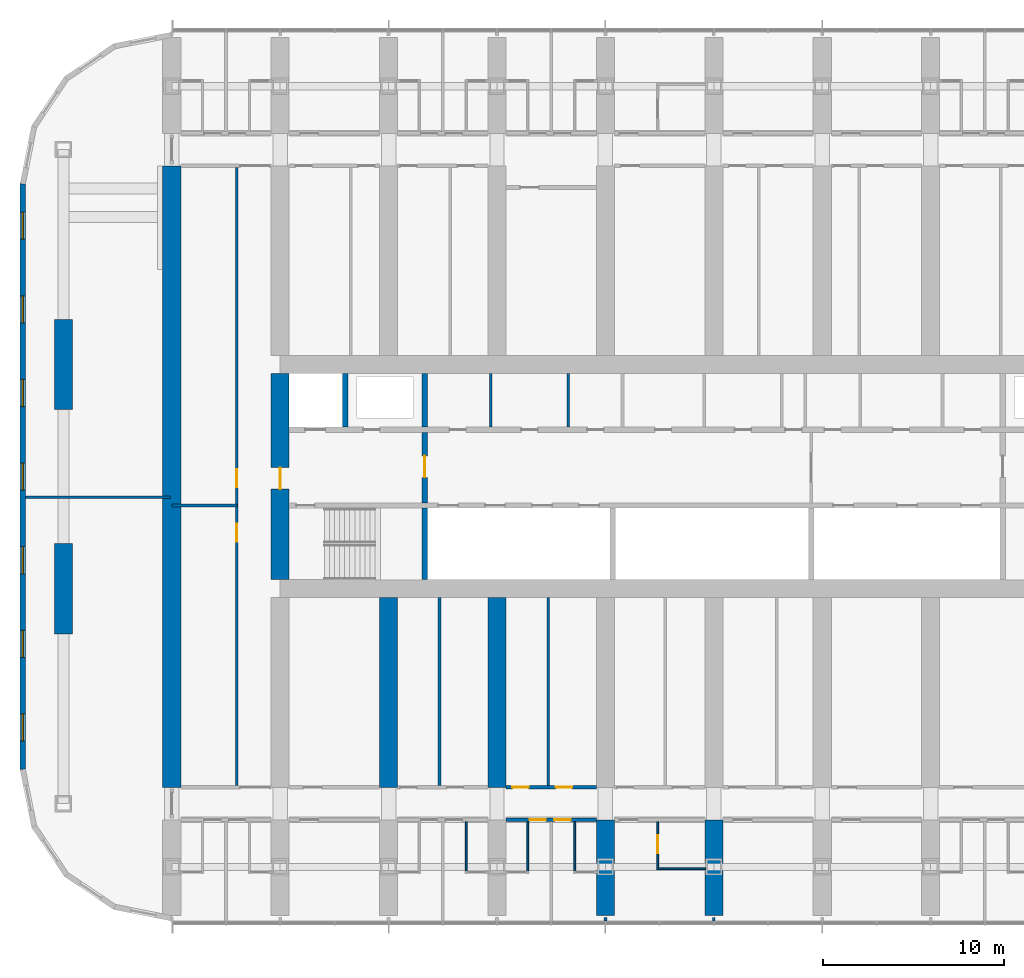
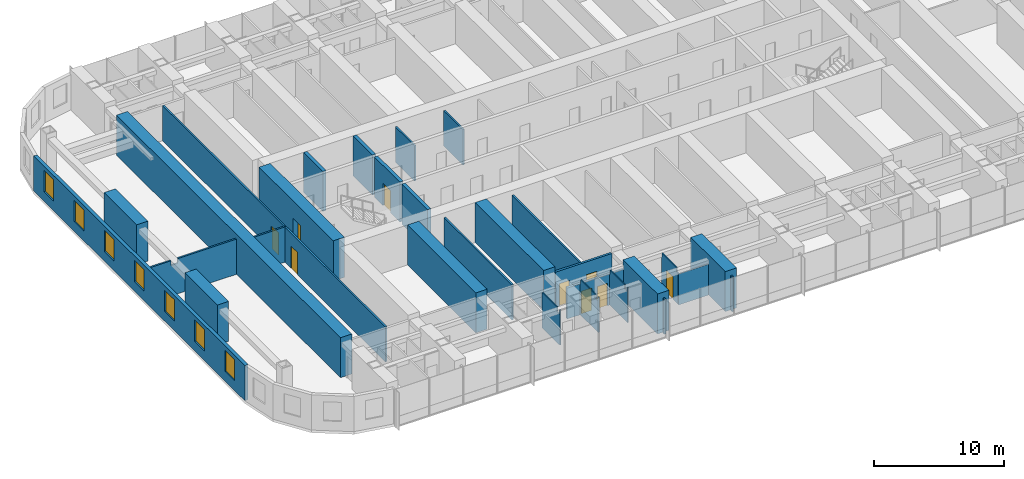
# One storey, part 11 of 23: 29 walls, 9 doors, 7 windows, 16 openings.
"""IFC4 building model written with IfcOpenShell, lengths in metres."""

from ifc_helpers import new_model, si_unit, direction, frame, frame_2d, origin, place, context, subcontext, project, spatial, polyline, rectangle, outline, extrude, material, layer, layer_set, type_object, element, fill, save


model = new_model("IFC4")

# Units and contexts
model_context = context("Model", 3, precision=1e-05, world=origin(), true_north=direction((0.0, 1.0)))
body_context = subcontext(model_context, "Body", "Model", "MODEL_VIEW")
ifc_project = project(units=[si_unit("LENGTHUNIT", "METRE"), si_unit("AREAUNIT", "SQUARE_METRE"), si_unit("VOLUMEUNIT", "CUBIC_METRE"), si_unit("PLANEANGLEUNIT", "RADIAN"), si_unit("MASSUNIT", "GRAM", prefix="KILO")], contexts=[model_context])

# Site, building, storey
site_placement = place(None, origin())
site = spatial("IfcSite", under=ifc_project, at=site_placement, CompositionType="ELEMENT")
building_placement = place(site_placement, origin())
building = spatial("IfcBuilding", under=site, at=building_placement, Name="Orbita Commons", CompositionType="ELEMENT")
storey_placement = place(building_placement, frame((0.0, 0.0, 50.199951171875)))
storey = spatial("IfcBuildingStorey", under=building, at=storey_placement, Name="L12", CompositionType="ELEMENT", Elevation=50.199951171875)

# Wall
ifc_material_1 = material(Name="Concrete C50/60", Category="concrete")
ifc_layer_1 = layer(ifc_material_1, 0.300048828125)
ifc_layer_set_1 = layer_set([ifc_layer_1], Name="Concrete C50/60")
wall_type_1 = type_object("IfcWallType", Name="Core inner wall 300 C50/60", PredefinedType="SHEAR", material=ifc_layer_set_1)
wall_1_placement = place(storey_placement, frame((26.0, 26.300048828125, 0.0), z_axis=(0.0, 0.0, 1.0), x_axis=(0.0, 1.0, 0.0)))
element("IfcWall", 1, at=wall_1_placement, inside=storey, type_object=wall_type_1, Name="Stair S1 wall L12", PredefinedType="SHEAR", context=body_context, shape_type="SweptSolid", body=[
    extrude(rectangle(XDim=3.949951171875, YDim=0.300048828125, at=frame_2d((1.97509765625, 0.0))), origin(), (0.0, 0.0, 1.0), 3.75),
])

# Wall, opening, door
wall_2_placement = place(storey_placement, frame((26.0, 30.550048828125, 0.0), z_axis=(0.0, 0.0, 1.0), x_axis=(0.0, 1.0, 0.0)))
wall_2 = element("IfcWall", 2, at=wall_2_placement, inside=storey, type_object=wall_type_1, Name="Firefighting lobby wall west L12", PredefinedType="SHEAR", context=body_context, shape_type="SweptSolid", body=[
    extrude(rectangle(XDim=3.89990234375, YDim=0.300048828125, at=frame_2d((1.949951171875, 0.0))), origin(), (0.0, 0.0, 1.0), 3.75),
])
opening_1_placement = place(wall_2_placement, frame((1.39990234375, 0.0, 0.0)))
opening_1 = element("IfcOpeningElement", 3, at=opening_1_placement, cuts=wall_2, Name="Opening D04", PredefinedType="OPENING", context=body_context, shape_type="SweptSolid", body=[
    extrude(rectangle(XDim=1.199951171875, YDim=2.10009765625, at=frame_2d((0.60009765625, 1.050048828125))), frame((0.0, 0.159912109375, 0.0), z_axis=(0.0, -1.0, 0.0), x_axis=(1.0, 0.0, 0.0)), (0.0, 0.0, 1.0), 0.320068359375),
])
ifc_material_2 = material(Name="Steel-faced fire door leaf", Category="steel")
door_type_1 = type_object("IfcDoorType", Name="Service door 20 min 1200x2100", OperationType="SINGLE_SWING_LEFT", PredefinedType="DOOR", material=ifc_material_2)
door_1_placement = place(opening_1_placement, origin())
door_1 = element("IfcDoor", 4, at=door_1_placement, inside=storey, type_object=door_type_1, Name="Lift lobby door west", OperationType="SINGLE_SWING_LEFT", OverallHeight=2.10009765625, OverallWidth=1.199951171875, PredefinedType="DOOR", context=body_context, shape_type="SweptSolid", body=[
    extrude(rectangle(XDim=1.199951171875, YDim=2.10009765625, at=frame_2d((0.60009765625, 1.050048828125))), frame((0.0, 0.02490234375, 0.0), z_axis=(0.0, -1.0, 0.0), x_axis=(1.0, 0.0, 0.0)), (0.0, 0.0, 1.0), 0.050048828125),
])
fill(opening_1, door_1)

# Walls
for number, where, z_axis, x_axis, name in (
    (5, (21.60009765625, 34.75, 0.0), (0.0, 0.0, 1.0), (0.0, 1.0, 0.0), "Firefighting lift FL1 shaft wall L12"),
    (6, (26.0, 34.75, 0.0), (0.0, 0.0, 1.0), (0.0, 1.0, 0.0), "Riser wall west L12"),
):
    element("IfcWall", number, at=place(storey_placement, frame(where, z_axis=z_axis, x_axis=x_axis)), inside=storey, type_object=wall_type_1, Name=name, PredefinedType="SHEAR", context=body_context, shape_type="SweptSolid", body=[
        extrude(rectangle(XDim=2.949951171875, YDim=0.300048828125, at=frame_2d((1.47509765625, 0.0))), origin(), (0.0, 0.0, 1.0), 3.75),
    ])
ifc_material_3 = material(Name="Concrete blockwork", Category="masonry")
ifc_layer_2 = layer(ifc_material_3, 0.14990234375)
ifc_layer_set_2 = layer_set([ifc_layer_2], Name="Concrete blockwork")
wall_type_2 = type_object("IfcWallType", Name="Core partition 150 blockwork", PredefinedType="SOLIDWALL", material=ifc_layer_set_2)
for number, where, z_axis, x_axis, name in (
    (7, (29.65087890625, 34.75, 0.0), (0.0, 0.0, 1.0), (0.0, 1.0, 0.0), "Core partition 150 blockwork L12"),
    (8, (33.9462890625, 34.75, 0.0), (0.0, 0.0, 1.0), (0.0, 1.0, 0.0), "Core partition 150 blockwork L12"),
):
    element("IfcWall", number, at=place(storey_placement, frame(where, z_axis=z_axis, x_axis=x_axis)), inside=storey, type_object=wall_type_2, Name=name, PredefinedType="SOLIDWALL", context=body_context, shape_type="SweptSolid", body=[
        extrude(rectangle(XDim=2.949951171875, YDim=0.14990234375, at=frame_2d((1.47509765625, 0.0))), origin(), (0.0, 0.0, 1.0), 3.300048828125),
    ])

# Wall, opening, door
ifc_material_4 = material(Name="Concrete C50/60", Category="concrete")
ifc_layer_3 = layer(ifc_material_4, 1.0)
ifc_layer_set_3 = layer_set([ifc_layer_3], Name="Concrete C50/60")
wall_type_3 = type_object("IfcWallType", Name="Core wall 1000 C50/60", PredefinedType="SHEAR", material=ifc_layer_set_3)
wall_3_placement = place(storey_placement, frame((18.0, 26.300048828125, 0.0), z_axis=(0.0, 0.0, 1.0), x_axis=(0.0, 1.0, 0.0)))
wall_3 = element("IfcWall", 9, at=wall_3_placement, inside=storey, type_object=wall_type_3, Name="Core end wall west L12", PredefinedType="SHEAR", context=body_context, shape_type="SweptSolid", body=[
    extrude(rectangle(XDim=11.39990234375, YDim=1.0, at=frame_2d((5.699951171875, 0.0))), origin(), (0.0, 0.0, 1.0), 3.75),
])
opening_2_placement = place(wall_3_placement, frame((5.0, 0.0, 0.0)))
opening_2 = element("IfcOpeningElement", 10, at=opening_2_placement, cuts=wall_3, Name="Opening D01", PredefinedType="OPENING", context=body_context, shape_type="SweptSolid", body=[
    extrude(rectangle(XDim=1.199951171875, YDim=2.10009765625, at=frame_2d((0.60009765625, 1.050048828125))), frame((0.0, 0.510009765625, 0.0), z_axis=(0.0, -1.0, 0.0), x_axis=(1.0, 0.0, 0.0)), (0.0, 0.0, 1.0), 1.02001953125),
])
ifc_material_5 = material(Name="Steel-faced fire door leaf", Category="steel")
door_type_2 = type_object("IfcDoorType", Name="Fire door 90 min 1200x2100", OperationType="SINGLE_SWING_LEFT", PredefinedType="DOOR", material=ifc_material_5)
door_2_placement = place(opening_2_placement, origin())
door_2 = element("IfcDoor", 11, at=door_2_placement, inside=storey, type_object=door_type_2, Name="Firefighting lobby west door", OperationType="SINGLE_SWING_LEFT", OverallHeight=2.10009765625, OverallWidth=1.199951171875, PredefinedType="DOOR", context=body_context, shape_type="SweptSolid", body=[
    extrude(rectangle(XDim=1.199951171875, YDim=2.10009765625, at=frame_2d((0.60009765625, 1.050048828125))), frame((0.0, 0.02490234375, 0.0), z_axis=(0.0, -1.0, 0.0), x_axis=(1.0, 0.0, 0.0)), (0.0, 0.0, 1.0), 0.050048828125),
])
fill(opening_2, door_2)

# Wall, openings, doors
ifc_material_6 = material(Name="Concrete blockwork", Category="masonry")
ifc_layer_4 = layer(ifc_material_6, 0.199951171875)
ifc_layer_set_4 = layer_set([ifc_layer_4], Name="Concrete blockwork")
wall_type_4 = type_object("IfcWallType", Name="Corridor wall 200 blockwork", PredefinedType="SOLIDWALL", material=ifc_layer_set_4)
wall_4_placement = place(storey_placement, frame((30.5, 13.0, 0.0), z_axis=(0.0, 0.0, 1.0), x_axis=(1.0, 0.0, 0.0)))
wall_4 = element("IfcWall", 12, at=wall_4_placement, inside=storey, type_object=wall_type_4, Name="Corridor wall 200 blockwork L12", PredefinedType="SOLIDWALL", context=body_context, shape_type="SweptSolid", body=[
    extrude(outline(polyline([(0.0, 0.0), (5.0, 0.0), (5.0, 2.900146484375), (0.0, 2.900146484375), (0.0, 0.0)])), frame((0.0, 0.10009765625, 0.0), z_axis=(0.0, -1.0, 0.0), x_axis=(1.0, 0.0, 0.0)), (0.0, 0.0, 1.0), 0.199951171875),
])
opening_3_placement = place(wall_4_placement, frame((1.300048828125, 0.0, 0.0)))
opening_3 = element("IfcOpeningElement", 13, at=opening_3_placement, cuts=wall_4, Name="Opening D11", PredefinedType="OPENING", context=body_context, shape_type="SweptSolid", body=[
    extrude(rectangle(XDim=0.89990234375, YDim=2.10009765625, at=frame_2d((0.449951171875, 1.050048828125))), frame((0.0, 0.10986328125, 0.0), z_axis=(0.0, -1.0, 0.0), x_axis=(1.0, 0.0, 0.0)), (0.0, 0.0, 1.0), 0.219970703125),
])
opening_4_placement = place(wall_4_placement, frame((2.675048828125, 0.0, 0.0)))
opening_4 = element("IfcOpeningElement", 14, at=opening_4_placement, cuts=wall_4, Name="Opening D11", PredefinedType="OPENING", context=body_context, shape_type="SweptSolid", body=[
    extrude(rectangle(XDim=0.89990234375, YDim=2.10009765625, at=frame_2d((0.449951171875, 1.050048828125))), frame((0.0, 0.10986328125, 0.0), z_axis=(0.0, -1.0, 0.0), x_axis=(1.0, 0.0, 0.0)), (0.0, 0.0, 1.0), 0.219970703125),
])
ifc_material_7 = material(Name="Steel-faced fire door leaf", Category="steel")
door_type_3 = type_object("IfcDoorType", Name="Corridor door 20 min 900x2100", OperationType="SINGLE_SWING_LEFT", PredefinedType="DOOR", material=ifc_material_7)
door_3_placement = place(opening_3_placement, origin())
door_3 = element("IfcDoor", 15, at=door_3_placement, inside=storey, type_object=door_type_3, Name="House bedroom L12-S06 door", OperationType="SINGLE_SWING_LEFT", OverallHeight=2.10009765625, OverallWidth=0.89990234375, PredefinedType="DOOR", context=body_context, shape_type="SweptSolid", body=[
    extrude(rectangle(XDim=0.89990234375, YDim=2.10009765625, at=frame_2d((0.449951171875, 1.050048828125))), frame((0.0, 0.02490234375, 0.0), z_axis=(0.0, -1.0, 0.0), x_axis=(1.0, 0.0, 0.0)), (0.0, 0.0, 1.0), 0.050048828125),
])
fill(opening_3, door_3)
door_4_placement = place(opening_4_placement, origin())
door_4 = element("IfcDoor", 16, at=door_4_placement, inside=storey, type_object=door_type_3, Name="House bedroom L12-S07 door", OperationType="SINGLE_SWING_LEFT", OverallHeight=2.10009765625, OverallWidth=0.89990234375, PredefinedType="DOOR", context=body_context, shape_type="SweptSolid", body=[
    extrude(rectangle(XDim=0.89990234375, YDim=2.10009765625, at=frame_2d((0.449951171875, 1.050048828125))), frame((0.0, 0.02490234375, 0.0), z_axis=(0.0, -1.0, 0.0), x_axis=(1.0, 0.0, 0.0)), (0.0, 0.0, 1.0), 0.050048828125),
])
fill(opening_4, door_4)

ifc_material_8 = material(Name="Hollow concrete block 200", Category="concrete")
ifc_layer_5 = layer(ifc_material_8, 0.199951171875)
ifc_layer_set_5 = layer_set([ifc_layer_5], Name="Hollow concrete block 200")
wall_type_5 = type_object("IfcWallType", Name="Corridor wall 200 hollow concrete block", PredefinedType="SOLIDWALL", material=ifc_layer_set_5)
wall_5_placement = place(storey_placement, frame((30.5, 14.800048828125, 0.0), z_axis=(0.0, 0.0, 1.0), x_axis=(1.0, 0.0, 0.0)))
wall_5 = element("IfcWall", 17, at=wall_5_placement, inside=storey, type_object=wall_type_5, Name="Corridor wall 200 hollow concrete block L12", PredefinedType="SOLIDWALL", context=body_context, shape_type="SweptSolid", body=[
    extrude(rectangle(XDim=5.0, YDim=0.199951171875, at=frame_2d((2.5, 0.0))), origin(), (0.0, 0.0, 1.0), 3.300048828125),
])
opening_5_placement = place(wall_5_placement, frame((0.35009765625, 0.0, 0.0)))
opening_5 = element("IfcOpeningElement", 18, at=opening_5_placement, cuts=wall_5, Name="Opening D11", PredefinedType="OPENING", context=body_context, shape_type="SweptSolid", body=[
    extrude(rectangle(XDim=0.89990234375, YDim=2.10009765625, at=frame_2d((0.449951171875, 1.050048828125))), frame((0.0, 0.10986328125, 0.0), z_axis=(0.0, -1.0, 0.0), x_axis=(1.0, 0.0, 0.0)), (0.0, 0.0, 1.0), 0.219970703125),
])
opening_6_placement = place(wall_5_placement, frame((2.7548828125, 0.0, 0.0)))
opening_6 = element("IfcOpeningElement", 19, at=opening_6_placement, cuts=wall_5, Name="Opening D11", PredefinedType="OPENING", context=body_context, shape_type="SweptSolid", body=[
    extrude(rectangle(XDim=0.89990234375, YDim=2.10009765625, at=frame_2d((0.449951171875, 1.050048828125))), frame((0.0, 0.10986328125, 0.0), z_axis=(0.0, -1.0, 0.0), x_axis=(1.0, 0.0, 0.0)), (0.0, 0.0, 1.0), 0.219970703125),
])
door_5_placement = place(opening_5_placement, origin())
door_5 = element("IfcDoor", 20, at=door_5_placement, inside=storey, type_object=door_type_3, Name="Sprinkler valve room L12-BDS30n door", OperationType="SINGLE_SWING_LEFT", OverallHeight=2.10009765625, OverallWidth=0.89990234375, PredefinedType="DOOR", context=body_context, shape_type="SweptSolid", body=[
    extrude(rectangle(XDim=0.89990234375, YDim=2.10009765625, at=frame_2d((0.449951171875, 1.050048828125))), frame((0.0, 0.02490234375, 0.0), z_axis=(0.0, -1.0, 0.0), x_axis=(1.0, 0.0, 0.0)), (0.0, 0.0, 1.0), 0.050048828125),
])
fill(opening_5, door_5)
door_6_placement = place(opening_6_placement, origin())
door_6 = element("IfcDoor", 21, at=door_6_placement, inside=storey, type_object=door_type_3, Name="Quiet room L12-BDS30 door", OperationType="SINGLE_SWING_LEFT", OverallHeight=2.10009765625, OverallWidth=0.89990234375, PredefinedType="DOOR", context=body_context, shape_type="SweptSolid", body=[
    extrude(rectangle(XDim=0.89990234375, YDim=2.10009765625, at=frame_2d((0.449951171875, 1.050048828125))), frame((0.0, 0.02490234375, 0.0), z_axis=(0.0, -1.0, 0.0), x_axis=(1.0, 0.0, 0.0)), (0.0, 0.0, 1.0), 0.050048828125),
])
fill(opening_6, door_6)

# Walls
ifc_material_9 = material(Name="Concrete C50/60", Category="concrete")
ifc_layer_6 = layer(ifc_material_9, 1.0)
ifc_layer_set_6 = layer_set([ifc_layer_6], Name="Concrete C50/60")
wall_type_6 = type_object("IfcWallType", Name="Cross wall 1000 C50/60", PredefinedType="SHEAR", material=ifc_layer_set_6)
wall_6_placement = place(storey_placement, frame((12.0, 14.800048828125, 0.0), z_axis=(0.0, 0.0, 1.0), x_axis=(0.0, 1.0, 0.0)))
element("IfcWall", 22, at=wall_6_placement, inside=storey, type_object=wall_type_6, Name="Cross wall 3 inner L12", PredefinedType="SHEAR", context=body_context, shape_type="SweptSolid", body=[
    extrude(rectangle(XDim=34.39990234375, YDim=1.0, at=frame_2d((17.199951171875, 0.0))), origin(), (0.0, 0.0, 1.0), 3.75),
])
for number, where, z_axis, x_axis, name in (
    (23, (24.0, 14.800048828125, 0.0), (0.0, 0.0, 1.0), (0.0, 1.0, 0.0), "Cross wall 5 south inner L12"),
    (24, (30.0, 14.800048828125, 0.0), (0.0, 0.0, 1.0), (0.0, 1.0, 0.0), "Cross wall 6 south inner L12"),
):
    element("IfcWall", number, at=place(storey_placement, frame(where, z_axis=z_axis, x_axis=x_axis)), inside=storey, type_object=wall_type_6, Name=name, PredefinedType="SHEAR", context=body_context, shape_type="SweptSolid", body=[
        extrude(rectangle(XDim=10.5, YDim=1.0, at=frame_2d((5.25, 0.0))), origin(), (0.0, 0.0, 1.0), 3.75),
    ])
for number, where, z_axis, x_axis, name in (
    (25, (36.0, 7.699951171875, 0.0), (0.0, 0.0, 1.0), (0.0, 1.0, 0.0), "Cross wall 7 south outer L12"),
    (26, (42.0, 7.699951171875, 0.0), (0.0, 0.0, 1.0), (0.0, 1.0, 0.0), "Cross wall 8 south outer L12"),
):
    element("IfcWall", number, at=place(storey_placement, frame(where, z_axis=z_axis, x_axis=x_axis)), inside=storey, type_object=wall_type_6, Name=name, PredefinedType="SHEAR", context=body_context, shape_type="SweptSolid", body=[
        extrude(rectangle(XDim=5.300048828125, YDim=1.0, at=frame_2d((2.64990234375, 0.0))), origin(), (0.0, 0.0, 1.0), 3.75),
    ])
ifc_material_10 = material(Name="Moisture-resistant plasterboard on steel studs", Category="steel")
ifc_layer_7 = layer(ifc_material_10, 0.10009765625)
ifc_layer_set_7 = layer_set([ifc_layer_7], Name="Moisture-resistant plasterboard on steel studs")
wall_type_7 = type_object("IfcWallType", Name="En-suite partition 100", PredefinedType="PARTITIONING", material=ifc_layer_set_7)
for number, where, z_axis, x_axis, name in (
    (27, (28.300048828125, 10.14990234375, 0.0), (0.0, 0.0, 1.0), (0.0, 1.0, 0.0), "En-suite partition 100 L12"),
    (28, (31.699951171875, 10.14990234375, 0.0), (0.0, 0.0, 1.0), (0.0, 1.0, 0.0), "En-suite partition 100 L12"),
    (29, (34.300048828125, 10.14990234375, 0.0), (0.0, 0.0, 1.0), (0.0, 1.0, 0.0), "En-suite partition 100 L12"),
):
    element("IfcWall", number, at=place(storey_placement, frame(where, z_axis=z_axis, x_axis=x_axis)), inside=storey, type_object=wall_type_7, Name=name, PredefinedType="PARTITIONING", context=body_context, shape_type="SweptSolid", body=[
        extrude(outline(polyline([(0.0, 0.0), (2.75, 0.0), (2.75, 2.900146484375), (2.701904296875, 2.900146484375), (2.699951171875, 3.300048828125), (0.451904296875, 3.300048828125), (0.449951171875, 2.900146484375), (0.052001953125, 2.900146484375), (0.050048828125, 3.300048828125), (0.0, 3.300048828125), (0.0, 0.0)])), frame((0.0, 0.050048828125, 0.0), z_axis=(0.0, -1.0, 0.0), x_axis=(1.0, 0.0, 0.0)), (0.0, 0.0, 1.0), 0.10009765625),
    ])
wall_7_placement = place(storey_placement, frame((38.85009765625, 10.300048828125, 0.0), z_axis=(0.0, 0.0, 1.0), x_axis=(1.0, 0.0, 0.0)))
element("IfcWall", 30, at=wall_7_placement, inside=storey, type_object=wall_type_7, Name="En-suite partition 100 L12", PredefinedType="PARTITIONING", context=body_context, shape_type="SweptSolid", body=[
    extrude(outline(polyline([(0.0, 0.0), (2.699951171875, 0.0), (2.699951171875, 2.900146484375), (0.0, 2.900146484375), (0.0, 0.0)])), frame((0.0, 0.050048828125, 0.0), z_axis=(0.0, -1.0, 0.0), x_axis=(1.0, 0.0, 0.0)), (0.0, 0.0, 1.0), 0.10009765625),
])

# Wall, opening, door
wall_8_placement = place(storey_placement, frame((38.89990234375, 10.35009765625, 0.0), z_axis=(0.0, 0.0, 1.0), x_axis=(0.0, 1.0, 0.0)))
wall_8 = element("IfcWall", 31, at=wall_8_placement, inside=storey, type_object=wall_type_7, Name="En-suite partition 100 L12", PredefinedType="PARTITIONING", context=body_context, shape_type="SweptSolid", body=[
    extrude(outline(polyline([(0.0, 0.0), (2.5498046875, 0.0), (2.550048828125, 2.900146484375), (2.501953125, 2.900146484375), (2.5, 3.300048828125), (0.251953125, 3.300048828125), (0.25, 2.900146484375), (0.0, 2.900146484375), (0.0, 0.0)])), frame((0.0, 0.050048828125, 0.0), z_axis=(0.0, -1.0, 0.0), x_axis=(1.0, 0.0, 0.0)), (0.0, 0.0, 1.0), 0.10009765625),
])
opening_7_placement = place(wall_8_placement, frame((0.800048828125, 0.0, 0.0)))
opening_7 = element("IfcOpeningElement", 32, at=opening_7_placement, cuts=wall_8, Name="Opening D13", PredefinedType="OPENING", context=body_context, shape_type="SweptSolid", body=[
    extrude(rectangle(XDim=1.0, YDim=2.10009765625, at=frame_2d((0.5, 1.050048828125))), frame((0.0, 0.06005859375, 0.0), z_axis=(0.0, -1.0, 0.0), x_axis=(1.0, 0.0, 0.0)), (0.0, 0.0, 1.0), 0.1201171875),
])
ifc_material_11 = material(Name="Laminated timber door leaf", Category="wood")
door_type_4 = type_object("IfcDoorType", Name="En-suite door 1000x2100", OperationType="SINGLE_SWING_RIGHT", PredefinedType="DOOR", material=ifc_material_11)
door_7_placement = place(opening_7_placement, origin())
door_7 = element("IfcDoor", 33, at=door_7_placement, inside=storey, type_object=door_type_4, Name="Accessible shower room L12-S08 door", OperationType="SINGLE_SWING_RIGHT", OverallHeight=2.10009765625, OverallWidth=1.0, PredefinedType="DOOR", context=body_context, shape_type="SweptSolid", body=[
    extrude(rectangle(XDim=1.0, YDim=2.10009765625, at=frame_2d((0.5, 1.050048828125))), frame((0.0, 0.02490234375, 0.0), z_axis=(0.0, -1.0, 0.0), x_axis=(1.0, 0.0, 0.0)), (0.0, 0.0, 1.0), 0.050048828125),
])
fill(opening_7, door_7)

# Walls
ifc_material_12 = material(Name="Concrete C50/60", Category="concrete")
ifc_layer_8 = layer(ifc_material_12, 1.0)
ifc_layer_set_8 = layer_set([ifc_layer_8], Name="Concrete C50/60")
wall_type_8 = type_object("IfcWallType", Name="End pier 1000x5000 C50/60", PredefinedType="SHEAR", material=ifc_layer_set_8)
for number, where, z_axis, x_axis, name in (
    (34, (6.0, 23.300048828125, 0.0), (0.0, 0.0, 1.0), (0.0, 1.0, 0.0), "End pier 2/C L12"),
    (35, (6.0, 35.699951171875, 0.0), (0.0, 0.0, 1.0), (0.0, 1.0, 0.0), "End pier 2/D L12"),
):
    element("IfcWall", number, at=place(storey_placement, frame(where, z_axis=z_axis, x_axis=x_axis)), inside=storey, type_object=wall_type_8, Name=name, PredefinedType="SHEAR", context=body_context, shape_type="SweptSolid", body=[
        extrude(rectangle(XDim=5.0, YDim=1.0, at=frame_2d((2.5, 0.0))), origin(), (0.0, 0.0, 1.0), 3.75),
    ])
ifc_material_13 = material(Name="Gypsum plasterboard on steel studs", Category="steel")
ifc_layer_9 = layer(ifc_material_13, 0.14990234375)
ifc_layer_set_9 = layer_set([ifc_layer_9], Name="Gypsum plasterboard on steel studs")
wall_type_9 = type_object("IfcWallType", Name="Partition 150 plasterboard", PredefinedType="PARTITIONING", material=ifc_layer_set_9)
for number, where, z_axis, x_axis, name in (
    (36, (26.81494140625, 14.89990234375, 0.0), (0.0, 0.0, 1.0), (0.0, 1.0, 0.0), "Partition 150 plasterboard L12"),
    (37, (32.830078125, 14.89990234375, 0.0), (0.0, 0.0, 1.0), (0.0, 1.0, 0.0), "Partition 150 plasterboard L12"),
):
    element("IfcWall", number, at=place(storey_placement, frame(where, z_axis=z_axis, x_axis=x_axis)), inside=storey, type_object=wall_type_9, Name=name, PredefinedType="PARTITIONING", context=body_context, shape_type="SweptSolid", body=[
        extrude(rectangle(XDim=10.400146484375, YDim=0.14990234375, at=frame_2d((5.2001953125, 0.0))), origin(), (0.0, 0.0, 1.0), 3.300048828125),
    ])

# Wall, openings, doors
wall_9_placement = place(storey_placement, frame((15.60009765625, 14.89990234375, 0.0), z_axis=(0.0, 0.0, 1.0), x_axis=(0.0, 1.0, 0.0)))
wall_9 = element("IfcWall", 38, at=wall_9_placement, inside=storey, type_object=wall_type_9, Name="Partition 150 plasterboard L12", PredefinedType="PARTITIONING", context=body_context, shape_type="SweptSolid", body=[
    extrude(rectangle(XDim=34.2001953125, YDim=0.14990234375, at=frame_2d((17.10009765625, 0.0))), origin(), (0.0, 0.0, 1.0), 3.300048828125),
])
opening_8_placement = place(wall_9_placement, frame((13.5, 0.0, 0.0)))
opening_8 = element("IfcOpeningElement", 39, at=opening_8_placement, cuts=wall_9, Name="Opening D06", PredefinedType="OPENING", context=body_context, shape_type="SweptSolid", body=[
    extrude(rectangle(XDim=1.0, YDim=2.10009765625, at=frame_2d((0.5, 1.050048828125))), frame((0.0, 0.0849609375, 0.0), z_axis=(0.0, -1.0, 0.0), x_axis=(1.0, 0.0, 0.0)), (0.0, 0.0, 1.0), 0.169921875),
])
opening_9_placement = place(wall_9_placement, frame((16.5, 0.0, 0.0)))
opening_9 = element("IfcOpeningElement", 40, at=opening_9_placement, cuts=wall_9, Name="Opening D06", PredefinedType="OPENING", context=body_context, shape_type="SweptSolid", body=[
    extrude(rectangle(XDim=1.0, YDim=2.10009765625, at=frame_2d((0.5, 1.050048828125))), frame((0.0, 0.0849609375, 0.0), z_axis=(0.0, -1.0, 0.0), x_axis=(1.0, 0.0, 0.0)), (0.0, 0.0, 1.0), 0.169921875),
])
ifc_material_14 = material(Name="Steel-faced fire door leaf", Category="steel")
door_type_5 = type_object("IfcDoorType", Name="Corridor door 20 min 1000x2100", OperationType="SINGLE_SWING_LEFT", PredefinedType="DOOR", material=ifc_material_14)
door_8_placement = place(opening_8_placement, origin())
door_8 = element("IfcDoor", 41, at=door_8_placement, inside=storey, type_object=door_type_5, Name="Interview room door", OperationType="SINGLE_SWING_LEFT", OverallHeight=2.10009765625, OverallWidth=1.0, PredefinedType="DOOR", context=body_context, shape_type="SweptSolid", body=[
    extrude(rectangle(XDim=1.0, YDim=2.10009765625, at=frame_2d((0.5, 1.050048828125))), frame((0.0, 0.02490234375, 0.0), z_axis=(0.0, -1.0, 0.0), x_axis=(1.0, 0.0, 0.0)), (0.0, 0.0, 1.0), 0.050048828125),
])
fill(opening_8, door_8)
door_9_placement = place(opening_9_placement, origin())
door_9 = element("IfcDoor", 42, at=door_9_placement, inside=storey, type_object=door_type_5, Name="Residents' storage room door", OperationType="SINGLE_SWING_LEFT", OverallHeight=2.10009765625, OverallWidth=1.0, PredefinedType="DOOR", context=body_context, shape_type="SweptSolid", body=[
    extrude(rectangle(XDim=1.0, YDim=2.10009765625, at=frame_2d((0.5, 1.050048828125))), frame((0.0, 0.02490234375, 0.0), z_axis=(0.0, -1.0, 0.0), x_axis=(1.0, 0.0, 0.0)), (0.0, 0.0, 1.0), 0.050048828125),
])
fill(opening_9, door_9)

# Walls
wall_10_placement = place(storey_placement, frame((12.0, 30.39990234375, 0.0), z_axis=(0.0, 0.0, 1.0), x_axis=(1.0, 0.0, 0.0)))
element("IfcWall", 43, at=wall_10_placement, inside=storey, type_object=wall_type_9, Name="Partition 150 plasterboard L12", PredefinedType="PARTITIONING", context=body_context, shape_type="SweptSolid", body=[
    extrude(rectangle(XDim=3.60009765625, YDim=0.14990234375, at=frame_2d((1.800048828125, 0.0))), origin(), (0.0, 0.0, 1.0), 3.300048828125),
])
wall_11_placement = place(storey_placement, frame((3.905029296875, 30.85009765625, 0.0), z_axis=(0.0, 0.0, 1.0), x_axis=(1.0, 0.0, 0.0)))
element("IfcWall", 44, at=wall_11_placement, inside=storey, type_object=wall_type_9, Name="Partition 150 plasterboard L12", PredefinedType="PARTITIONING", context=body_context, shape_type="SweptSolid", body=[
    extrude(outline(polyline([(0.0, 0.0), (8.02001953125, 0.0), (8.02001953125, 3.300048828125), (2.39697265625, 3.300048828125), (2.39501953125, 2.85009765625), (1.797119140625, 2.85009765625), (1.794921875, 3.300048828125), (0.0, 3.300048828125), (0.0, 0.0)])), frame((0.0, 0.074951171875, 0.0), z_axis=(0.0, -1.0, 0.0), x_axis=(1.0, 0.0, 0.0)), (0.0, 0.0, 1.0), 0.14990234375),
])
for number, where, z_axis, x_axis, name in (
    (45, (36.0, 7.60009765625, 0.0), (0.0, 0.0, 1.0), (0.0, -1.0, 0.0), "Partition 150 plasterboard L12"),
    (46, (42.0, 7.60009765625, 0.0), (0.0, 0.0, 1.0), (0.0, -1.0, 0.0), "Partition 150 plasterboard L12"),
):
    element("IfcWall", number, at=place(storey_placement, frame(where, z_axis=z_axis, x_axis=x_axis)), inside=storey, type_object=wall_type_9, Name=name, PredefinedType="PARTITIONING", context=body_context, shape_type="SweptSolid", body=[
        extrude(rectangle(XDim=0.190185546875, YDim=0.14990234375, at=frame_2d((0.09521484375, 0.0))), origin(), (0.0, 0.0, 1.0), 3.300048828125),
    ])

# Wall, openings, windows
ifc_material_15 = material(Name="Precast concrete C40/50, white board-marked finish", Category="concrete")
ifc_layer_10 = layer(ifc_material_15, 0.300048828125)
ifc_layer_set_10 = layer_set([ifc_layer_10], Name="Precast concrete C40/50, white board-marked finish")
wall_type_10 = type_object("IfcWallType", Name="Precast concrete end shield 300", PredefinedType="SOLIDWALL", material=ifc_layer_set_10)
wall_12_placement = place(storey_placement, frame((3.75, 48.199951171875, 0.0), z_axis=(0.0, 0.0, 1.0), x_axis=(0.0, -1.0, 0.0)))
wall_12 = element("IfcWall", 47, at=wall_12_placement, inside=storey, type_object=wall_type_10, Name="End shield W L12", PredefinedType="SOLIDWALL", context=body_context, shape_type="SweptSolid", body=[
    extrude(outline(polyline([(-0.014892578125, -0.14990234375), (32.414794921875, -0.14990234375), (32.385009765625, 0.14990234375), (0.014892578125, 0.14990234375), (-0.014892578125, -0.14990234375)])), origin(), (0.0, 0.0, 1.0), 3.300048828125),
])
opening_10_placement = place(wall_12_placement, frame((1.564208984375, 0.0, 0.89990234375)))
opening_10 = element("IfcOpeningElement", 48, at=opening_10_placement, cuts=wall_12, Name="Opening W01", PredefinedType="OPENING", context=body_context, shape_type="SweptSolid", body=[
    extrude(rectangle(XDim=1.5, YDim=2.0, at=frame_2d((0.75, 1.0))), frame((0.0, 0.159912109375, 0.0), z_axis=(0.0, -1.0, 0.0), x_axis=(1.0, 0.0, 0.0)), (0.0, 0.0, 1.0), 0.320068359375),
])
opening_11_placement = place(wall_12_placement, frame((6.19287109375, 0.0, 0.89990234375)))
opening_11 = element("IfcOpeningElement", 49, at=opening_11_placement, cuts=wall_12, Name="Opening W01", PredefinedType="OPENING", context=body_context, shape_type="SweptSolid", body=[
    extrude(rectangle(XDim=1.5, YDim=2.0, at=frame_2d((0.75, 1.0))), frame((0.0, 0.159912109375, 0.0), z_axis=(0.0, -1.0, 0.0), x_axis=(1.0, 0.0, 0.0)), (0.0, 0.0, 1.0), 0.320068359375),
])
opening_12_placement = place(wall_12_placement, frame((10.821533203125, 0.0, 0.89990234375)))
opening_12 = element("IfcOpeningElement", 50, at=opening_12_placement, cuts=wall_12, Name="Opening W01", PredefinedType="OPENING", context=body_context, shape_type="SweptSolid", body=[
    extrude(rectangle(XDim=1.5, YDim=2.0, at=frame_2d((0.75, 1.0))), frame((0.0, 0.159912109375, 0.0), z_axis=(0.0, -1.0, 0.0), x_axis=(1.0, 0.0, 0.0)), (0.0, 0.0, 1.0), 0.320068359375),
])
opening_13_placement = place(wall_12_placement, frame((15.449951171875, 0.0, 0.89990234375)))
opening_13 = element("IfcOpeningElement", 51, at=opening_13_placement, cuts=wall_12, Name="Opening W01", PredefinedType="OPENING", context=body_context, shape_type="SweptSolid", body=[
    extrude(rectangle(XDim=1.5, YDim=2.0, at=frame_2d((0.75, 1.0))), frame((0.0, 0.159912109375, 0.0), z_axis=(0.0, -1.0, 0.0), x_axis=(1.0, 0.0, 0.0)), (0.0, 0.0, 1.0), 0.320068359375),
])
opening_14_placement = place(wall_12_placement, frame((20.07861328125, 0.0, 0.89990234375)))
opening_14 = element("IfcOpeningElement", 52, at=opening_14_placement, cuts=wall_12, Name="Opening W01", PredefinedType="OPENING", context=body_context, shape_type="SweptSolid", body=[
    extrude(rectangle(XDim=1.5, YDim=2.0, at=frame_2d((0.75, 1.0))), frame((0.0, 0.159912109375, 0.0), z_axis=(0.0, -1.0, 0.0), x_axis=(1.0, 0.0, 0.0)), (0.0, 0.0, 1.0), 0.320068359375),
])
opening_15_placement = place(wall_12_placement, frame((24.70703125, 0.0, 0.89990234375)))
opening_15 = element("IfcOpeningElement", 53, at=opening_15_placement, cuts=wall_12, Name="Opening W01", PredefinedType="OPENING", context=body_context, shape_type="SweptSolid", body=[
    extrude(rectangle(XDim=1.5, YDim=2.0, at=frame_2d((0.75, 1.0))), frame((0.0, 0.159912109375, 0.0), z_axis=(0.0, -1.0, 0.0), x_axis=(1.0, 0.0, 0.0)), (0.0, 0.0, 1.0), 0.320068359375),
])
opening_16_placement = place(wall_12_placement, frame((29.335693359375, 0.0, 0.89990234375)))
opening_16 = element("IfcOpeningElement", 54, at=opening_16_placement, cuts=wall_12, Name="Opening W01", PredefinedType="OPENING", context=body_context, shape_type="SweptSolid", body=[
    extrude(rectangle(XDim=1.5, YDim=2.0, at=frame_2d((0.75, 1.0))), frame((0.0, 0.159912109375, 0.0), z_axis=(0.0, -1.0, 0.0), x_axis=(1.0, 0.0, 0.0)), (0.0, 0.0, 1.0), 0.320068359375),
])
ifc_material_16 = material(Name="Aluminium frame, clear double glazing", Category="aluminium")
window_type = type_object("IfcWindowType", Name="Deep-set window 1500x2000", PartitioningType="SINGLE_PANEL", PredefinedType="WINDOW", material=ifc_material_16)
window_1_placement = place(opening_10_placement, origin())
window_1 = element("IfcWindow", 55, at=window_1_placement, inside=storey, type_object=window_type, Name="Window L12-W 1", OverallHeight=2.0, OverallWidth=1.5, PartitioningType="SINGLE_PANEL", PredefinedType="WINDOW", context=body_context, shape_type="SweptSolid", body=[
    extrude(rectangle(XDim=1.5, YDim=2.0, at=frame_2d((0.75, 1.0))), frame((0.0, 0.030029296875, 0.0), z_axis=(0.0, -1.0, 0.0), x_axis=(1.0, 0.0, 0.0)), (0.0, 0.0, 1.0), 0.06005859375),
])
fill(opening_10, window_1)
window_2_placement = place(opening_11_placement, origin())
window_2 = element("IfcWindow", 56, at=window_2_placement, inside=storey, type_object=window_type, Name="Window L12-W 2", OverallHeight=2.0, OverallWidth=1.5, PartitioningType="SINGLE_PANEL", PredefinedType="WINDOW", context=body_context, shape_type="SweptSolid", body=[
    extrude(rectangle(XDim=1.5, YDim=2.0, at=frame_2d((0.75, 1.0))), frame((0.0, 0.030029296875, 0.0), z_axis=(0.0, -1.0, 0.0), x_axis=(1.0, 0.0, 0.0)), (0.0, 0.0, 1.0), 0.06005859375),
])
fill(opening_11, window_2)
window_3_placement = place(opening_12_placement, origin())
window_3 = element("IfcWindow", 57, at=window_3_placement, inside=storey, type_object=window_type, Name="Window L12-W 3", OverallHeight=2.0, OverallWidth=1.5, PartitioningType="SINGLE_PANEL", PredefinedType="WINDOW", context=body_context, shape_type="SweptSolid", body=[
    extrude(rectangle(XDim=1.5, YDim=2.0, at=frame_2d((0.75, 1.0))), frame((0.0, 0.030029296875, 0.0), z_axis=(0.0, -1.0, 0.0), x_axis=(1.0, 0.0, 0.0)), (0.0, 0.0, 1.0), 0.06005859375),
])
fill(opening_12, window_3)
window_4_placement = place(opening_13_placement, origin())
window_4 = element("IfcWindow", 58, at=window_4_placement, inside=storey, type_object=window_type, Name="Window L12-W 4", OverallHeight=2.0, OverallWidth=1.5, PartitioningType="SINGLE_PANEL", PredefinedType="WINDOW", context=body_context, shape_type="SweptSolid", body=[
    extrude(rectangle(XDim=1.5, YDim=2.0, at=frame_2d((0.75, 1.0))), frame((0.0, 0.030029296875, 0.0), z_axis=(0.0, -1.0, 0.0), x_axis=(1.0, 0.0, 0.0)), (0.0, 0.0, 1.0), 0.06005859375),
])
fill(opening_13, window_4)
window_5_placement = place(opening_14_placement, origin())
window_5 = element("IfcWindow", 59, at=window_5_placement, inside=storey, type_object=window_type, Name="Window L12-W 5", OverallHeight=2.0, OverallWidth=1.5, PartitioningType="SINGLE_PANEL", PredefinedType="WINDOW", context=body_context, shape_type="SweptSolid", body=[
    extrude(rectangle(XDim=1.5, YDim=2.0, at=frame_2d((0.75, 1.0))), frame((0.0, 0.030029296875, 0.0), z_axis=(0.0, -1.0, 0.0), x_axis=(1.0, 0.0, 0.0)), (0.0, 0.0, 1.0), 0.06005859375),
])
fill(opening_14, window_5)
window_6_placement = place(opening_15_placement, origin())
window_6 = element("IfcWindow", 60, at=window_6_placement, inside=storey, type_object=window_type, Name="Window L12-W 6", OverallHeight=2.0, OverallWidth=1.5, PartitioningType="SINGLE_PANEL", PredefinedType="WINDOW", context=body_context, shape_type="SweptSolid", body=[
    extrude(rectangle(XDim=1.5, YDim=2.0, at=frame_2d((0.75, 1.0))), frame((0.0, 0.030029296875, 0.0), z_axis=(0.0, -1.0, 0.0), x_axis=(1.0, 0.0, 0.0)), (0.0, 0.0, 1.0), 0.06005859375),
])
fill(opening_15, window_6)
window_7_placement = place(opening_16_placement, origin())
window_7 = element("IfcWindow", 61, at=window_7_placement, inside=storey, type_object=window_type, Name="Window L12-W 7", OverallHeight=2.0, OverallWidth=1.5, PartitioningType="SINGLE_PANEL", PredefinedType="WINDOW", context=body_context, shape_type="SweptSolid", body=[
    extrude(rectangle(XDim=1.5, YDim=2.0, at=frame_2d((0.75, 1.0))), frame((0.0, 0.030029296875, 0.0), z_axis=(0.0, -1.0, 0.0), x_axis=(1.0, 0.0, 0.0)), (0.0, 0.0, 1.0), 0.06005859375),
])
fill(opening_16, window_7)

save(model, "model.ifc")
